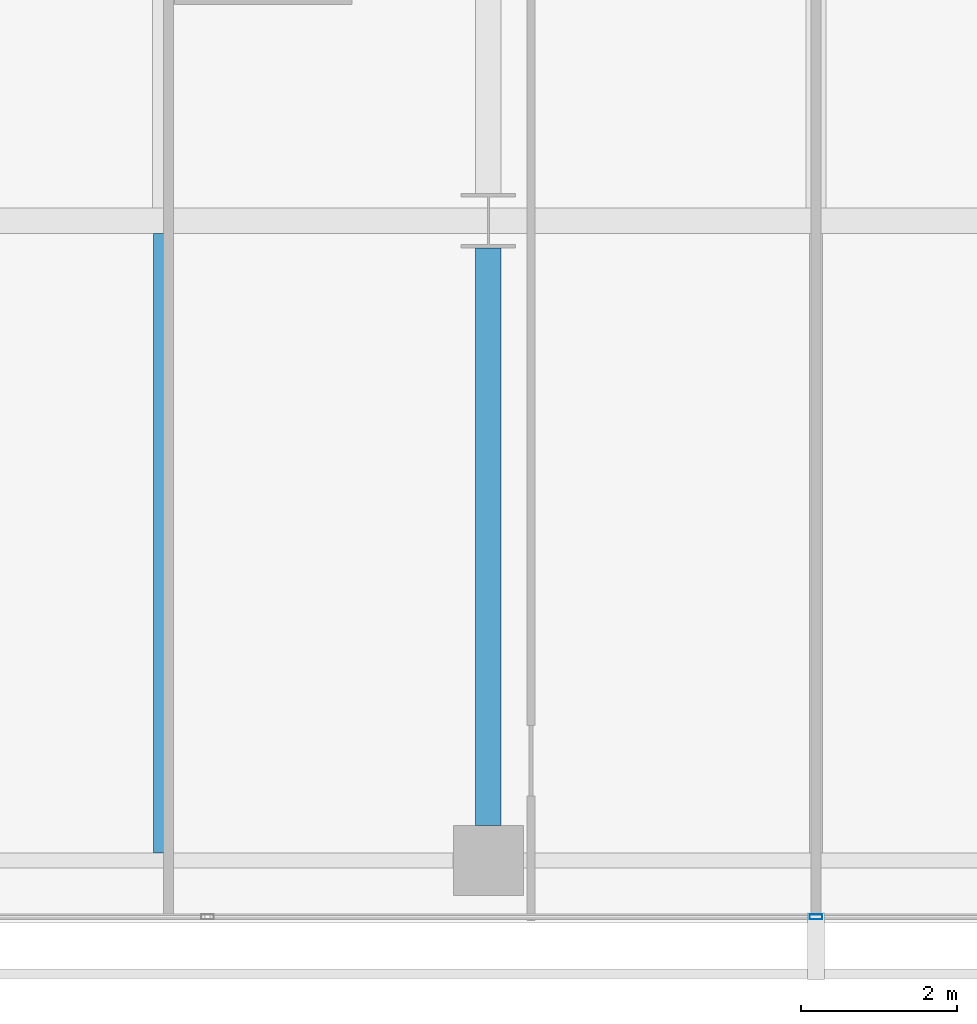
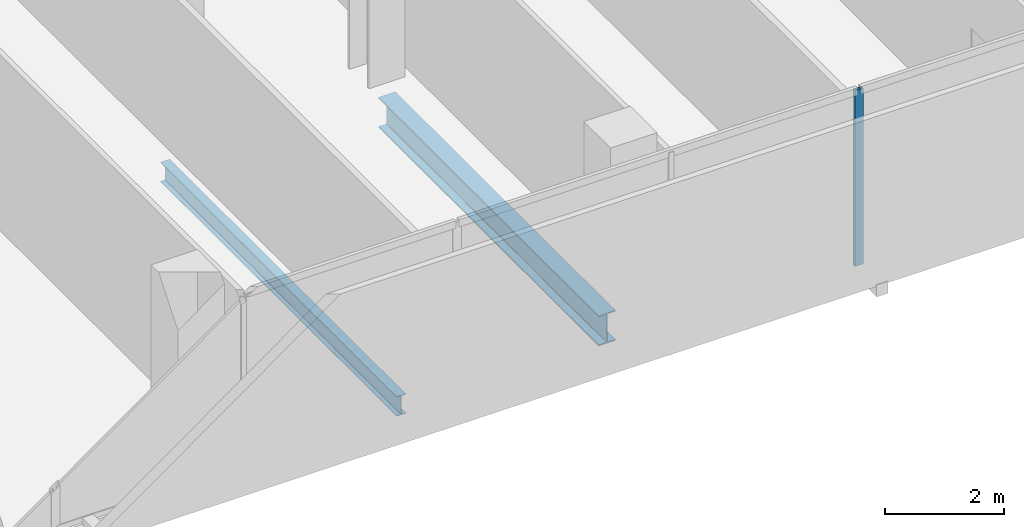
# One storey, part 8 of 39: 2 beams, 1 member, 1 element without a shape of its own.
"""IFC4 building model written with IfcOpenShell, lengths in metres."""

from ifc_helpers import new_model, si_unit, direction, frame, origin, origin_2d, place, context, subcontext, project, spatial, hollow_rectangle, i_section, extrude, material, layer, layer_set, material_profile, profile_set, type_object, element, aggregate, save


model = new_model("IFC4")

# Units and contexts
model_context = context("Model", 3, precision=1e-05, world=origin(), true_north=direction((0.0, 1.0)))
body_context = subcontext(model_context, "Body", "Model", "MODEL_VIEW")
ifc_project = project(units=[si_unit("LENGTHUNIT", "METRE"), si_unit("AREAUNIT", "SQUARE_METRE"), si_unit("VOLUMEUNIT", "CUBIC_METRE"), si_unit("PLANEANGLEUNIT", "RADIAN"), si_unit("MASSUNIT", "GRAM", prefix="KILO")], contexts=[model_context])

# Site, building, storey
site_placement = place(None, origin())
site = spatial("IfcSite", under=ifc_project, at=site_placement, CompositionType="ELEMENT")
building_placement = place(site_placement, origin())
building = spatial("IfcBuilding", under=site, at=building_placement, Name="Maruvema Waterfront Hotel and Observation Tower", CompositionType="ELEMENT")
storey_placement = place(building_placement, frame((0.0, 0.0, 46.199951171875)))
storey = spatial("IfcBuildingStorey", under=building, at=storey_placement, Name="L10", CompositionType="ELEMENT", Elevation=46.199951171875)

# Curtain wall, member
ifc_material_1 = material(Name="Anodised bronze aluminium and solar-control low-E IGU", Category="aluminium")
ifc_layer = layer(ifc_material_1, 0.159912109375, Name="Zone 1 Bronze Inner Thermal Curtain Wall System CW-02")
ifc_layer_set = layer_set([ifc_layer], Name="Anodised bronze aluminium and solar-control low-E IGU")
curtain_wall_type = type_object("IfcCurtainWallType", Name="Zone 1 Bronze Inner Thermal Curtain Wall System CW-02", PredefinedType="USERDEFINED", material=ifc_layer_set)
curtain_wall_placement = place(storey_placement, origin())
curtain_wall = element("IfcCurtainWall", 1, at=curtain_wall_placement, inside=storey, type_object=curtain_wall_type, Name="L10 Curtain Wall CW-L10-S", ObjectType="UNITISED CURTAIN WALL", PredefinedType="USERDEFINED")
ifc_material_2 = material(Name="Anodised architectural bronze aluminium", Category="aluminium")
ifc_material_profile_1 = material_profile(ifc_material_2, hollow_rectangle(XDim=0.06494140625, YDim=0.1650390625, WallThickness=0.00390625, at=origin_2d()), Name="ALU-M65x165")
ifc_profile_set_1 = profile_set([ifc_material_profile_1], Name="Anodised architectural bronze aluminium")
member_type = type_object("IfcMemberType", Name="Curtain Wall Primary Mullion ALU-M65x165", PredefinedType="MULLION", material=ifc_profile_set_1)
member_placement = place(storey_placement, frame((37.800048828125, 0.080078125, 0.0), z_axis=(0.0, 0.0, 1.0), x_axis=(0.0, 1.0, 0.0)))
member = element("IfcMember", 2, at=member_placement, type_object=member_type, Name="CW-02 mullion 4", PredefinedType="MULLION", context=body_context, shape_type="SweptSolid", body=[
    extrude(hollow_rectangle(XDim=0.06494140625, YDim=0.1650390625, WallThickness=0.00390625, at=origin_2d()), origin(), (0.0, 0.0, 1.0), 3.610107421875),
])
aggregate(curtain_wall, [member])

# Beams
ifc_material_3 = material(Name="Steel ASTM A572 Grade 50", Category="steel")
ifc_material_profile_2 = material_profile(ifc_material_3, i_section(OverallWidth=0.326904296875, OverallDepth=0.6220703125, WebThickness=0.015380859375, FlangeThickness=0.0244140625, FilletRadius=0.01806640625, at=origin_2d()), Name="W610x195.0")
ifc_profile_set_2 = profile_set([ifc_material_profile_2], Name="Steel ASTM A572 Grade 50")
beam_type_1 = type_object("IfcBeamType", Name="Primary Floor Girder W610x195.0", PredefinedType="BEAM", material=ifc_profile_set_2)
beam_1_placement = place(storey_placement, frame((33.60009765625, 1.25, -0.551025390625), z_axis=(0.0, 1.0, 0.0), x_axis=(-1.0, 0.0, 0.0)))
element("IfcBeam", 3, at=beam_1_placement, inside=storey, type_object=beam_type_1, Name="L10 Floor Girder NS-16", PredefinedType="BEAM", context=body_context, shape_type="SweptSolid", body=[
    extrude(i_section(OverallWidth=0.326904296875, OverallDepth=0.6220703125, WebThickness=0.015380859375, FlangeThickness=0.0244140625, FilletRadius=0.01806640625, at=origin_2d()), origin(), (0.0, 0.0, 1.0), 7.39990234375),
])
ifc_material_4 = material(Name="Steel ASTM A572 Grade 50", Category="steel")
ifc_material_profile_3 = material_profile(ifc_material_4, i_section(OverallWidth=0.177001953125, OverallDepth=0.403076171875, WebThickness=0.007568359375, FlangeThickness=0.010986328125, FilletRadius=0.014892578125, at=origin_2d()), Name="W410x53.0")
ifc_profile_set_3 = profile_set([ifc_material_profile_3], Name="Steel ASTM A572 Grade 50")
beam_type_2 = type_object("IfcBeamType", Name="Secondary Floor Joist W410x53.0", PredefinedType="JOIST", material=ifc_profile_set_3)
beam_2_placement = place(storey_placement, frame((29.39990234375, 0.89501953125, -0.44140625), z_axis=(0.0, 1.0, 0.0), x_axis=(-1.0, 0.0, 0.0)))
element("IfcBeam", 4, at=beam_2_placement, inside=storey, type_object=beam_type_2, Name="L10 Secondary Floor Joist JS-10", PredefinedType="JOIST", context=body_context, shape_type="SweptSolid", body=[
    extrude(i_section(OverallWidth=0.177001953125, OverallDepth=0.403076171875, WebThickness=0.007568359375, FlangeThickness=0.010986328125, FilletRadius=0.014892578125, at=origin_2d()), origin(), (0.0, 0.0, 1.0), 7.94140625),
])

save(model, "model.ifc")
